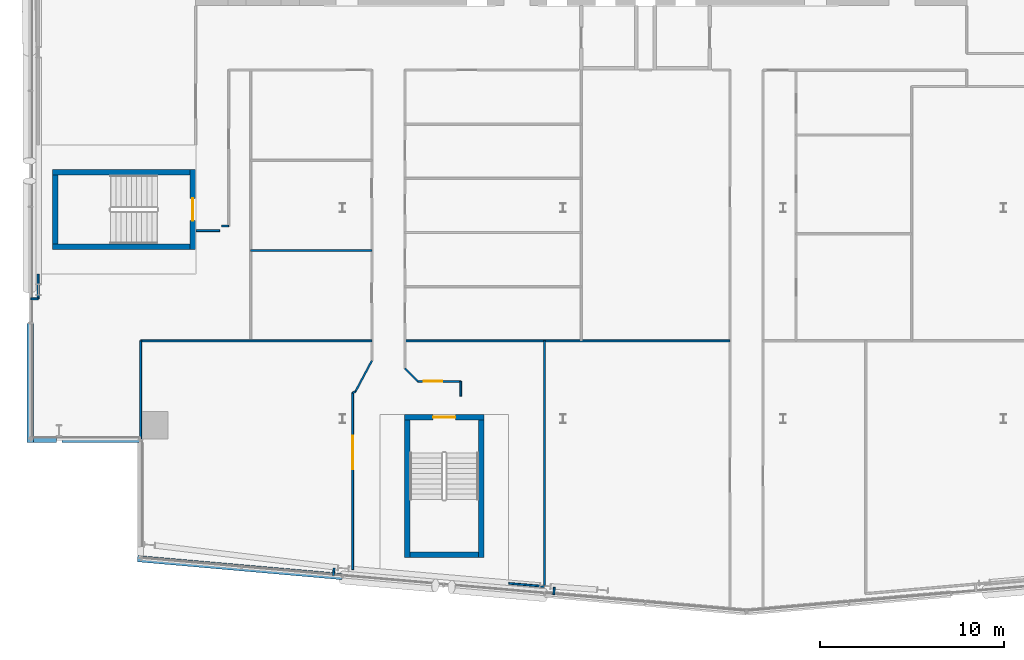
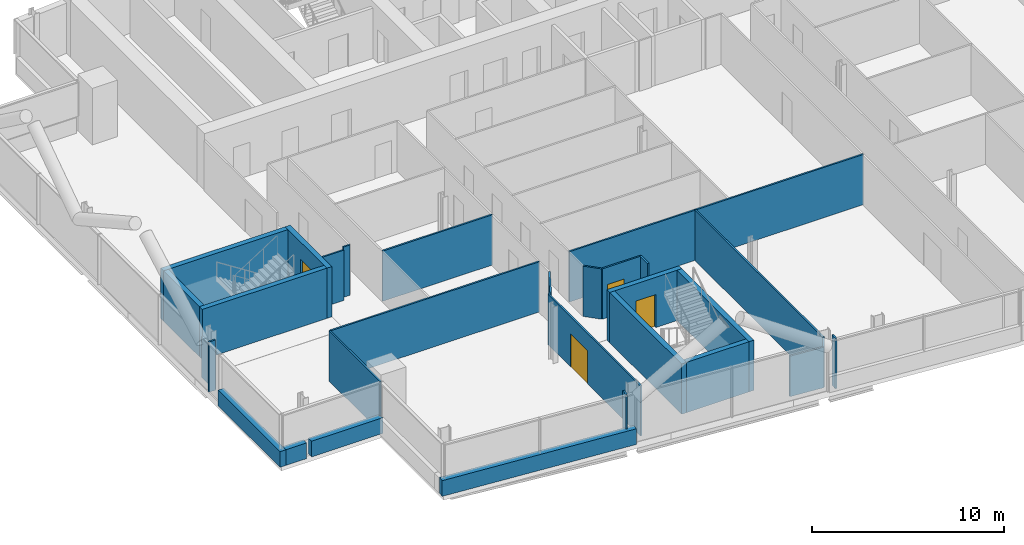
# One storey, part 15 of 26: 30 walls, 4 doors, 4 openings.
"""IFC4 building model written with IfcOpenShell, lengths in metres."""

from ifc_helpers import new_model, si_unit, direction, frame, frame_2d, origin, place, context, subcontext, project, spatial, rectangle, extrude, material, layer, layer_set, type_object, element, fill, save


model = new_model("IFC4")

# Units and contexts
model_context = context("Model", 3, precision=1e-05, world=origin(), true_north=direction((0.0, 1.0)))
body_context = subcontext(model_context, "Body", "Model", "MODEL_VIEW")
ifc_project = project(units=[si_unit("LENGTHUNIT", "METRE"), si_unit("AREAUNIT", "SQUARE_METRE"), si_unit("VOLUMEUNIT", "CUBIC_METRE"), si_unit("PLANEANGLEUNIT", "RADIAN"), si_unit("MASSUNIT", "GRAM", prefix="KILO")], contexts=[model_context])

# Site, building, storey
site_placement = place(None, origin())
site = spatial("IfcSite", under=ifc_project, at=site_placement, CompositionType="ELEMENT")
building_placement = place(site_placement, origin())
building = spatial("IfcBuilding", under=site, at=building_placement, Name="Wharfspan Tower", CompositionType="ELEMENT")
storey_placement = place(building_placement, frame((0.0, 0.0, 169.899902)))
storey = spatial("IfcBuildingStorey", under=building, at=storey_placement, Name="L41", CompositionType="ELEMENT", Elevation=169.899902)

# Walls
ifc_material_1 = material(Name="Gypsum board on steel studs", Category="steel")
ifc_layer_1 = layer(ifc_material_1, 0.100098)
ifc_layer_set_1 = layer_set([ifc_layer_1], Name="Gypsum board on steel studs")
wall_type_1 = type_object("IfcWallType", Name="Compartment wall 100 EI 60", PredefinedType="PARTITIONING", material=ifc_layer_set_1)
wall_1_placement = place(storey_placement, frame((13.0, 15.745117, 0.0), z_axis=(0.0, 0.0, 1.0), x_axis=(1.0, 0.0, 0.0)))
element("IfcWall", 1, at=wall_1_placement, inside=storey, type_object=wall_type_1, Name="Partition L41.w005", PredefinedType="PARTITIONING", context=body_context, shape_type="SweptSolid", body=[
    extrude(rectangle(XDim=12.600098, YDim=0.100098, at=frame_2d((6.300049, 0.0))), origin(), (0.0, 0.0, 1.0), 3.200195),
])
wall_2_placement = place(storey_placement, frame((16.02002, 21.75, 0.0), z_axis=(0.0, 0.0, 1.0), x_axis=(1.0, 0.0, 0.0)))
element("IfcWall", 2, at=wall_2_placement, inside=storey, type_object=wall_type_1, Name="Partition L41.w007", PredefinedType="PARTITIONING", context=body_context, shape_type="SweptSolid", body=[
    extrude(rectangle(XDim=1.280029, YDim=0.100098, at=frame_2d((0.640137, 0.0))), origin(), (0.0, 0.0, 1.0), 3.200195),
])
wall_3_placement = place(storey_placement, frame((17.419922, 22.0, 0.0), z_axis=(0.0, 0.0, 1.0), x_axis=(1.0, 0.0, 0.0)))
element("IfcWall", 3, at=wall_3_placement, inside=storey, type_object=wall_type_1, Name="Partition L41.w008", PredefinedType="PARTITIONING", context=body_context, shape_type="SweptSolid", body=[
    extrude(rectangle(XDim=0.380127, YDim=0.100098, at=frame_2d((0.189941, 0.0))), origin(), (0.0, 0.0, 1.0), 3.200195),
])
wall_4_placement = place(storey_placement, frame((19.0, 20.665039, 0.0), z_axis=(0.0, 0.0, 1.0), x_axis=(1.0, 0.0, 0.0)))
element("IfcWall", 4, at=wall_4_placement, inside=storey, type_object=wall_type_1, Name="Partition L41.w012", PredefinedType="PARTITIONING", context=body_context, shape_type="SweptSolid", body=[
    extrude(rectangle(XDim=6.600098, YDim=0.100098, at=frame_2d((3.300049, 0.0))), origin(), (0.0, 0.0, 1.0), 3.200195),
])
wall_5_placement = place(storey_placement, frame((24.550049, 12.915039, 0.0), z_axis=(0.0, 0.0, 1.0), x_axis=(0.900306, 0.435266, 0.0)))
element("IfcWall", 5, at=wall_5_placement, inside=storey, type_object=wall_type_1, Name="Partition L41.w015", PredefinedType="PARTITIONING", context=body_context, shape_type="SweptSolid", body=[
    extrude(rectangle(XDim=0.172119, YDim=0.100098, at=frame_2d((0.085938, 0.0))), origin(), (0.0, 0.0, 1.0), 3.200195),
])

# Wall, opening, door
wall_6_placement = place(storey_placement, frame((24.550049, 3.284912, 0.0), z_axis=(0.0, 0.0, 1.0), x_axis=(0.0, 1.0, 0.0)))
wall_6 = element("IfcWall", 6, at=wall_6_placement, inside=storey, type_object=wall_type_1, Name="Partition L41.w016", PredefinedType="PARTITIONING", context=body_context, shape_type="SweptSolid", body=[
    extrude(rectangle(XDim=9.630127, YDim=0.100098, at=frame_2d((4.814941, 0.0))), origin(), (0.0, 0.0, 1.0), 3.200195),
])
opening_1_placement = place(wall_6_placement, frame((5.480713, 0.0, 0.0)))
opening_1 = element("IfcOpeningElement", 7, at=opening_1_placement, cuts=wall_6, Name="Opening C3-03", PredefinedType="OPENING", context=body_context, shape_type="SweptSolid", body=[
    extrude(rectangle(XDim=1.800049, YDim=2.100098, at=frame_2d((0.899902, 1.050049))), frame((0.0, 0.060059, 0.0), z_axis=(0.0, -1.0, 0.0), x_axis=(1.0, 0.0, 0.0)), (0.0, 0.0, 1.0), 0.120117),
])
ifc_material_2 = material(Name="Fire-rated timber door leaf in steel frame", Category="steel")
door_type_1 = type_object("IfcDoorType", Name="Door 1800 FD30S Double", OperationType="DOUBLE_DOOR_SINGLE_SWING", PredefinedType="DOOR", material=ifc_material_2)
door_1_placement = place(opening_1_placement, origin())
door_1 = element("IfcDoor", 8, at=door_1_placement, inside=storey, type_object=door_type_1, Name="Door C3-03", OperationType="DOUBLE_DOOR_SINGLE_SWING", OverallHeight=2.100098, OverallWidth=1.800049, PredefinedType="DOOR", context=body_context, shape_type="SweptSolid", body=[
    extrude(rectangle(XDim=1.800049, YDim=2.100098, at=frame_2d((0.899902, 1.050049))), frame((0.0, 0.024902, 0.0), z_axis=(0.0, -1.0, 0.0), x_axis=(1.0, 0.0, 0.0)), (0.0, 0.0, 1.0), 0.050049),
])
fill(opening_1, door_1)

# Walls
wall_7_placement = place(storey_placement, frame((24.705078, 12.98999, 0.0), z_axis=(0.0, 0.0, 1.0), x_axis=(0.4702, 0.882555, 0.0)))
element("IfcWall", 9, at=wall_7_placement, inside=storey, type_object=wall_type_1, Name="Partition L41.w017", PredefinedType="PARTITIONING", context=body_context, shape_type="SweptSolid", body=[
    extrude(rectangle(XDim=1.903564, YDim=0.100098, at=frame_2d((0.95166, 0.0))), origin(), (0.0, 0.0, 1.0), 3.200195),
])
wall_8_placement = place(storey_placement, frame((27.399902, 15.745117, 0.0), z_axis=(0.0, 0.0, 1.0), x_axis=(1.0, 0.0, 0.0)))
element("IfcWall", 10, at=wall_8_placement, inside=storey, type_object=wall_type_1, Name="Partition L41.w020", PredefinedType="PARTITIONING", context=body_context, shape_type="SweptSolid", body=[
    extrude(rectangle(XDim=17.700195, YDim=0.100098, at=frame_2d((8.850098, 0.0))), origin(), (0.0, 0.0, 1.0), 3.200195),
])
wall_9_placement = place(storey_placement, frame((28.10498, 13.534912, 0.0), z_axis=(0.0, 0.0, 1.0), x_axis=(-0.707107, 0.707107, 0.0)))
element("IfcWall", 11, at=wall_9_placement, inside=storey, type_object=wall_type_1, Name="Partition L41.w026", PredefinedType="PARTITIONING", context=body_context, shape_type="SweptSolid", body=[
    extrude(rectangle(XDim=0.99707, YDim=0.100098, at=frame_2d((0.498535, 0.0))), origin(), (0.0, 0.0, 1.0), 3.200195),
])

# Wall, opening, door
wall_10_placement = place(storey_placement, frame((28.10498, 13.534912, 0.0), z_axis=(0.0, 0.0, 1.0), x_axis=(1.0, 0.0, 0.0)))
wall_10 = element("IfcWall", 12, at=wall_10_placement, inside=storey, type_object=wall_type_1, Name="Partition L41.w027", PredefinedType="PARTITIONING", context=body_context, shape_type="SweptSolid", body=[
    extrude(rectangle(XDim=2.334961, YDim=0.100098, at=frame_2d((1.16748, 0.0))), origin(), (0.0, 0.0, 1.0), 3.200195),
])
opening_2_placement = place(wall_10_placement, frame((0.314941, 0.0, 0.0)))
opening_2 = element("IfcOpeningElement", 13, at=opening_2_placement, cuts=wall_10, Name="Opening C3-04", PredefinedType="OPENING", context=body_context, shape_type="SweptSolid", body=[
    extrude(rectangle(XDim=1.0, YDim=2.100098, at=frame_2d((0.5, 1.050049))), frame((0.0, 0.060059, 0.0), z_axis=(0.0, -1.0, 0.0), x_axis=(1.0, 0.0, 0.0)), (0.0, 0.0, 1.0), 0.120117),
])
door_type_2 = type_object("IfcDoorType", Name="Door 1000 FD30S Left", OperationType="SINGLE_SWING_LEFT", PredefinedType="DOOR", material=ifc_material_2)
door_2_placement = place(opening_2_placement, origin())
door_2 = element("IfcDoor", 14, at=door_2_placement, inside=storey, type_object=door_type_2, Name="Door C3-04", OperationType="SINGLE_SWING_LEFT", OverallHeight=2.100098, OverallWidth=1.0, PredefinedType="DOOR", context=body_context, shape_type="SweptSolid", body=[
    extrude(rectangle(XDim=1.0, YDim=2.100098, at=frame_2d((0.5, 1.050049))), frame((0.0, 0.024902, 0.0), z_axis=(0.0, -1.0, 0.0), x_axis=(1.0, 0.0, 0.0)), (0.0, 0.0, 1.0), 0.050049),
])
fill(opening_2, door_2)

# Walls
wall_11_placement = place(storey_placement, frame((30.439941, 12.734375, 0.0), z_axis=(0.0, 0.0, 1.0), x_axis=(0.0, 1.0, 0.0)))
element("IfcWall", 15, at=wall_11_placement, inside=storey, type_object=wall_type_1, Name="Partition L41.w028", PredefinedType="PARTITIONING", context=body_context, shape_type="SweptSolid", body=[
    extrude(rectangle(XDim=0.800537, YDim=0.100098, at=frame_2d((0.400391, 0.0))), origin(), (0.0, 0.0, 1.0), 3.200195),
])
ifc_layer_2 = layer(ifc_material_1, 0.100098)
ifc_layer_set_2 = layer_set([ifc_layer_2], Name="Gypsum board on steel studs")
wall_type_2 = type_object("IfcWallType", Name="Partition 100", PredefinedType="PARTITIONING", material=ifc_layer_set_2)
wall_12_placement = place(storey_placement, frame((7.02002, 18.034912, 0.0), z_axis=(0.0, 0.0, 1.0), x_axis=(1.0, 0.0, 0.0)))
element("IfcWall", 16, at=wall_12_placement, inside=storey, type_object=wall_type_2, Name="Partition L41.w001", PredefinedType="PARTITIONING", context=body_context, shape_type="SweptSolid", body=[
    extrude(rectangle(XDim=0.399902, YDim=0.100098, at=frame_2d((0.199951, 0.0))), origin(), (0.0, 0.0, 1.0), 3.200195),
])
wall_13_placement = place(storey_placement, frame((7.419922, 18.034912, 0.0), z_axis=(0.0, 0.0, 1.0), x_axis=(0.0, 1.0, 0.0)))
element("IfcWall", 17, at=wall_13_placement, inside=storey, type_object=wall_type_2, Name="Partition L41.w002", PredefinedType="PARTITIONING", context=body_context, shape_type="SweptSolid", body=[
    extrude(rectangle(XDim=1.344971, YDim=0.100098, at=frame_2d((0.672363, 0.0))), origin(), (0.0, 0.0, 1.0), 2.580078),
])
wall_14_placement = place(storey_placement, frame((13.0, 10.419922, 0.0), z_axis=(0.0, 0.0, 1.0), x_axis=(0.0, 1.0, 0.0)))
element("IfcWall", 18, at=wall_14_placement, inside=storey, type_object=wall_type_2, Name="Partition L41.w004", PredefinedType="PARTITIONING", context=body_context, shape_type="SweptSolid", body=[
    extrude(rectangle(XDim=5.325195, YDim=0.100098, at=frame_2d((2.662598, 0.0))), origin(), (0.0, 0.0, 1.0), 3.200195),
])
wall_15_placement = place(storey_placement, frame((23.502197, 2.976318, 0.0), z_axis=(0.0, 0.0, 1.0), x_axis=(0.095654, 0.995419, 0.0)))
element("IfcWall", 19, at=wall_15_placement, inside=storey, type_object=wall_type_2, Name="Partition L41.w014", PredefinedType="PARTITIONING", context=body_context, shape_type="SweptSolid", body=[
    extrude(rectangle(XDim=0.395508, YDim=0.100098, at=frame_2d((0.197754, 0.0))), origin(), (0.0, 0.0, 1.0), 3.200195),
])
wall_16_placement = place(storey_placement, frame((35.0, 2.370117, 0.0), z_axis=(0.0, 0.0, 1.0), x_axis=(-0.996265, 0.086343, 0.0)))
element("IfcWall", 20, at=wall_16_placement, inside=storey, type_object=wall_type_2, Name="Partition L41.w029", PredefinedType="PARTITIONING", context=body_context, shape_type="SweptSolid", body=[
    extrude(rectangle(XDim=1.948242, YDim=0.100098, at=frame_2d((0.974121, 0.0))), origin(), (0.0, 0.0, 1.0), 2.580078),
])
wall_17_placement = place(storey_placement, frame((35.0, 2.370117, 0.0), z_axis=(0.0, 0.0, 1.0), x_axis=(0.0, 1.0, 0.0)))
element("IfcWall", 21, at=wall_17_placement, inside=storey, type_object=wall_type_2, Name="Partition L41.w030", PredefinedType="PARTITIONING", context=body_context, shape_type="SweptSolid", body=[
    extrude(rectangle(XDim=13.375, YDim=0.100098, at=frame_2d((6.6875, 0.0))), origin(), (0.0, 0.0, 1.0), 3.200195),
])
wall_18_placement = place(storey_placement, frame((35.501709, 1.926514, 0.0), z_axis=(0.0, 0.0, 1.0), x_axis=(0.083045, 0.996542, 0.0)))
element("IfcWall", 22, at=wall_18_placement, inside=storey, type_object=wall_type_2, Name="Partition L41.w031", PredefinedType="PARTITIONING", context=body_context, shape_type="SweptSolid", body=[
    extrude(rectangle(XDim=0.399902, YDim=0.100098, at=frame_2d((0.199951, 0.0))), origin(), (0.0, 0.0, 1.0), 3.200195),
])
ifc_material_3 = material(Name="Concrete C40/50", Category="concrete")
ifc_layer_3 = layer(ifc_material_3, 0.350098)
ifc_layer_set_3 = layer_set([ifc_layer_3], Name="Concrete C40/50")
wall_type_3 = type_object("IfcWallType", Name="SPANDREL EXPOSED CONCRETE 350", PredefinedType="SOLIDWALL", material=ifc_layer_set_3)
wall_19_placement = place(storey_placement, frame((12.835205, 3.884521, 0.0), z_axis=(0.0, 0.0, 1.0), x_axis=(0.996199, -0.087154, 0.0)))
element("IfcWall", 23, at=wall_19_placement, inside=storey, type_object=wall_type_3, Name="Spandrel upstand L41 S1 1", PredefinedType="SOLIDWALL", context=body_context, shape_type="SweptSolid", body=[
    extrude(rectangle(XDim=11.177002, YDim=0.350098, at=frame_2d((5.588379, 0.0))), origin(), (0.0, 0.0, 1.0), 1.0),
])
wall_20_placement = place(storey_placement, frame((6.995117, 16.689941, 0.0), z_axis=(0.0, 0.0, 1.0), x_axis=(0.0, -1.0, 0.0)))
element("IfcWall", 24, at=wall_20_placement, inside=storey, type_object=wall_type_3, Name="Spandrel upstand L41 W", PredefinedType="SOLIDWALL", context=body_context, shape_type="SweptSolid", body=[
    extrude(rectangle(XDim=6.469971, YDim=0.350098, at=frame_2d((3.234863, 0.0))), origin(), (0.0, 0.0, 1.0), 1.0),
])
wall_21_placement = place(storey_placement, frame((7.169922, 10.39502, 0.0), z_axis=(0.0, 0.0, 1.0), x_axis=(1.0, 0.0, 0.0)))
element("IfcWall", 25, at=wall_21_placement, inside=storey, type_object=wall_type_3, Name="Spandrel upstand L41 NFW-H", PredefinedType="SOLIDWALL", context=body_context, shape_type="SweptSolid", body=[
    extrude(rectangle(XDim=1.238281, YDim=0.350098, at=frame_2d((0.619141, 0.0))), origin(), (0.0, 0.0, 1.0), 1.0),
])
wall_22_placement = place(storey_placement, frame((8.713379, 10.39502, 0.0), z_axis=(0.0, 0.0, 1.0), x_axis=(1.0, 0.0, 0.0)))
element("IfcWall", 26, at=wall_22_placement, inside=storey, type_object=wall_type_3, Name="Spandrel upstand L41 NFW-H 2", PredefinedType="SOLIDWALL", context=body_context, shape_type="SweptSolid", body=[
    extrude(rectangle(XDim=4.286621, YDim=0.350098, at=frame_2d((2.143311, 0.0))), origin(), (0.0, 0.0, 1.0), 1.0),
])

# Wall, opening, door
ifc_layer_4 = layer(ifc_material_3, 0.300049)
ifc_layer_set_4 = layer_set([ifc_layer_4], Name="Concrete C40/50")
wall_type_4 = type_object("IfcWallType", Name="Stair core wall 300", PredefinedType="SHEAR", material=ifc_layer_set_4)
wall_23_placement = place(storey_placement, frame((15.850098, 20.725098, 0.0), z_axis=(0.0, 0.0, 1.0), x_axis=(0.0, 1.0, 0.0)))
wall_23 = element("IfcWall", 27, at=wall_23_placement, inside=storey, type_object=wall_type_4, Name="ST3 stair enclosure wall L41", PredefinedType="SHEAR", context=body_context, shape_type="SweptSolid", body=[
    extrude(rectangle(XDim=4.349854, YDim=0.300049, at=frame_2d((2.174805, 0.0))), origin(), (0.0, 0.0, 1.0), 3.200195),
])
opening_3_placement = place(wall_23_placement, frame((1.574951, 0.0, 0.0)))
opening_3 = element("IfcOpeningElement", 28, at=opening_3_placement, cuts=wall_23, Name="Opening SD3.L41", PredefinedType="OPENING", context=body_context, shape_type="SweptSolid", body=[
    extrude(rectangle(XDim=1.199951, YDim=2.100098, at=frame_2d((0.600098, 1.050049))), frame((0.0, 0.159912, 0.0), z_axis=(0.0, -1.0, 0.0), x_axis=(1.0, 0.0, 0.0)), (0.0, 0.0, 1.0), 0.320068),
])
ifc_material_4 = material(Name="Steel door leaf", Category="steel")
door_type_3 = type_object("IfcDoorType", Name="Stair door 1200x2100", OperationType="SINGLE_SWING_LEFT", PredefinedType="DOOR", material=ifc_material_4)
door_3_placement = place(opening_3_placement, origin())
door_3 = element("IfcDoor", 29, at=door_3_placement, inside=storey, type_object=door_type_3, Name="sd:L41:ST3z3", OperationType="SINGLE_SWING_RIGHT", OverallHeight=2.100098, OverallWidth=1.199951, PredefinedType="DOOR", context=body_context, shape_type="SweptSolid", body=[
    extrude(rectangle(XDim=1.199951, YDim=2.100098, at=frame_2d((0.600098, 1.050049))), frame((0.0, 0.024902, 0.0), z_axis=(0.0, -1.0, 0.0), x_axis=(1.0, 0.0, 0.0)), (0.0, 0.0, 1.0), 0.050049),
])
fill(opening_3, door_3)

wall_24_placement = place(storey_placement, frame((27.364258, 11.584229, 0.0), z_axis=(0.0, 0.0, 1.0), x_axis=(1.0, 0.0, 0.0)))
wall_24 = element("IfcWall", 30, at=wall_24_placement, inside=storey, type_object=wall_type_4, Name="ST4 stair enclosure wall L41", PredefinedType="SHEAR", context=body_context, shape_type="SweptSolid", body=[
    extrude(rectangle(XDim=4.349854, YDim=0.300049, at=frame_2d((2.174805, 0.0))), origin(), (0.0, 0.0, 1.0), 3.200195),
])
opening_4_placement = place(wall_24_placement, frame((1.574951, 0.0, 0.0)))
opening_4 = element("IfcOpeningElement", 31, at=opening_4_placement, cuts=wall_24, Name="Opening SD4.L41", PredefinedType="OPENING", context=body_context, shape_type="SweptSolid", body=[
    extrude(rectangle(XDim=1.199951, YDim=2.100098, at=frame_2d((0.600098, 1.050049))), frame((0.0, 0.159912, 0.0), z_axis=(0.0, -1.0, 0.0), x_axis=(1.0, 0.0, 0.0)), (0.0, 0.0, 1.0), 0.320068),
])
door_4_placement = place(opening_4_placement, origin())
door_4 = element("IfcDoor", 32, at=door_4_placement, inside=storey, type_object=door_type_3, Name="sd:L41:ST4z3", OperationType="SINGLE_SWING_RIGHT", OverallHeight=2.100098, OverallWidth=1.199951, PredefinedType="DOOR", context=body_context, shape_type="SweptSolid", body=[
    extrude(rectangle(XDim=1.199951, YDim=2.100098, at=frame_2d((0.600098, 1.050049))), frame((0.0, 0.024902, 0.0), z_axis=(0.0, -1.0, 0.0), x_axis=(1.0, 0.0, 0.0)), (0.0, 0.0, 1.0), 0.050049),
])
fill(opening_4, door_4)

# Walls
for number, where, z_axis, x_axis, name in (
    (33, (8.199951, 20.875, 0.0), (0.0, 0.0, 1.0), (1.0, 0.0, 0.0), "ST3 stair enclosure wall L41"),
    (34, (8.199951, 24.925049, 0.0), (0.0, 0.0, 1.0), (1.0, 0.0, 0.0), "ST3 stair enclosure wall L41"),
):
    element("IfcWall", number, at=place(storey_placement, frame(where, z_axis=z_axis, x_axis=x_axis)), inside=storey, type_object=wall_type_4, Name=name, PredefinedType="SHEAR", context=body_context, shape_type="SweptSolid", body=[
        extrude(rectangle(XDim=7.5, YDim=0.300049, at=frame_2d((3.75, 0.0))), origin(), (0.0, 0.0, 1.0), 3.200195),
    ])
wall_25_placement = place(storey_placement, frame((8.350098, 21.024902, 0.0), z_axis=(0.0, 0.0, 1.0), x_axis=(0.0, 1.0, 0.0)))
element("IfcWall", 35, at=wall_25_placement, inside=storey, type_object=wall_type_4, Name="ST3 stair enclosure wall L41", PredefinedType="SHEAR", context=body_context, shape_type="SweptSolid", body=[
    extrude(rectangle(XDim=3.75, YDim=0.300049, at=frame_2d((1.875, 0.0))), origin(), (0.0, 0.0, 1.0), 3.200195),
])
for number, where, z_axis, x_axis, name in (
    (36, (27.51416, 3.934326, 0.0), (0.0, 0.0, 1.0), (0.0, 1.0, 0.0), "ST4 stair enclosure wall L41"),
    (37, (31.564209, 3.934326, 0.0), (0.0, 0.0, 1.0), (0.0, 1.0, 0.0), "ST4 stair enclosure wall L41"),
):
    element("IfcWall", number, at=place(storey_placement, frame(where, z_axis=z_axis, x_axis=x_axis)), inside=storey, type_object=wall_type_4, Name=name, PredefinedType="SHEAR", context=body_context, shape_type="SweptSolid", body=[
        extrude(rectangle(XDim=7.5, YDim=0.300049, at=frame_2d((3.75, 0.0))), origin(), (0.0, 0.0, 1.0), 3.200195),
    ])
wall_26_placement = place(storey_placement, frame((27.664307, 4.084229, 0.0), z_axis=(0.0, 0.0, 1.0), x_axis=(1.0, 0.0, 0.0)))
element("IfcWall", 38, at=wall_26_placement, inside=storey, type_object=wall_type_4, Name="ST4 stair enclosure wall L41", PredefinedType="SHEAR", context=body_context, shape_type="SweptSolid", body=[
    extrude(rectangle(XDim=3.75, YDim=0.300049, at=frame_2d((1.875, 0.0))), origin(), (0.0, 0.0, 1.0), 3.200195),
])

save(model, "model.ifc")
